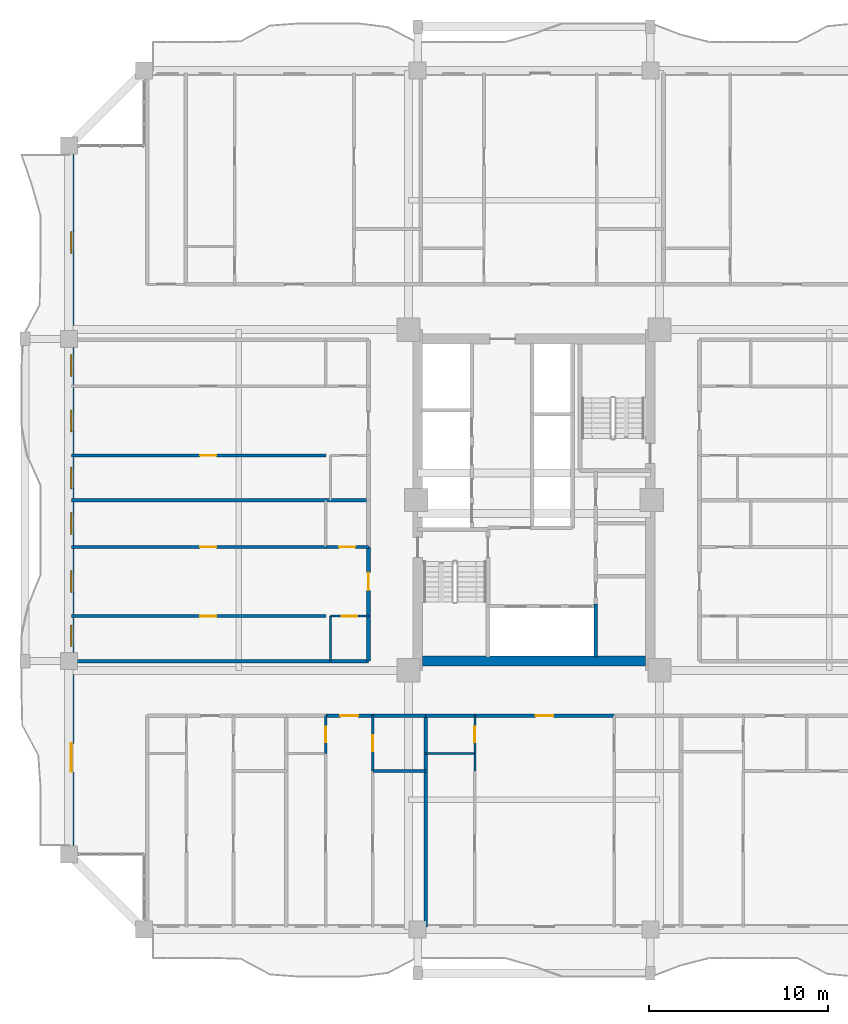
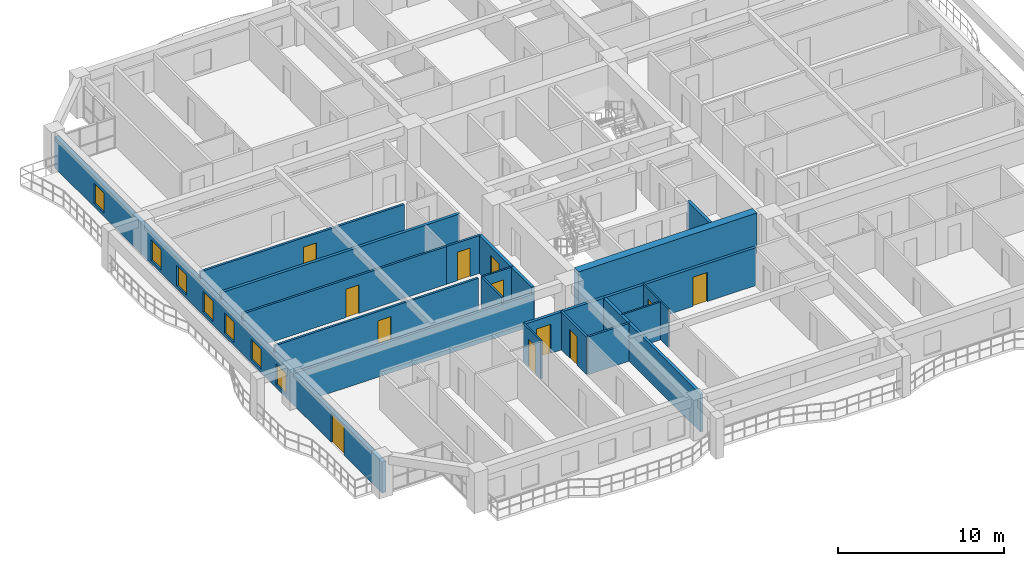
# One storey, part 15 of 25: 24 walls, 12 doors, 7 windows, 19 openings.
"""IFC4 building model written with IfcOpenShell, lengths in metres."""

from ifc_helpers import new_model, si_unit, direction, frame, frame_2d, origin, place, context, subcontext, project, spatial, rectangle, extrude, source, transform, mapped, material, layer, layer_set, type_object, element, fill, save


model = new_model("IFC4")

# Units and contexts
model_context = context("Model", 3, precision=1e-05, world=origin(), true_north=direction((0.0, 1.0)))
body_context = subcontext(model_context, "Body", "Model", "MODEL_VIEW")
ifc_project = project(units=[si_unit("LENGTHUNIT", "METRE"), si_unit("AREAUNIT", "SQUARE_METRE"), si_unit("VOLUMEUNIT", "CUBIC_METRE"), si_unit("PLANEANGLEUNIT", "RADIAN"), si_unit("MASSUNIT", "GRAM", prefix="KILO")], contexts=[model_context])

# Site, building, storey
site_placement = place(None, origin())
site = spatial("IfcSite", under=ifc_project, at=site_placement, CompositionType="ELEMENT")
building_placement = place(site_placement, origin())
building = spatial("IfcBuilding", under=site, at=building_placement, Name="Saelheon Loggia Tower", CompositionType="ELEMENT")
storey_placement = place(building_placement, frame((0.0, 0.0, 80.85009765625)))
storey = spatial("IfcBuildingStorey", under=building, at=storey_placement, Name="L25", CompositionType="ELEMENT", Elevation=80.85009765625)

# Wall
ifc_material_1 = material(Name="Concrete C50/60", Category="concrete")
ifc_layer_1 = layer(ifc_material_1, 0.550048828125)
ifc_layer_set_1 = layer_set([ifc_layer_1], Name="Concrete C50/60")
wall_type_1 = type_object("IfcWallType", Name="Wall_CoreShear_550", PredefinedType="SHEAR", material=ifc_layer_set_1)
wall_1_placement = place(storey_placement, frame((31.77490234375, 18.0, 0.0), z_axis=(0.0, 0.0, 1.0), x_axis=(1.0, 0.0, 0.0)))
element("IfcWall", 1, at=wall_1_placement, inside=storey, type_object=wall_type_1, Name="L25 Core Shear Wall South", PredefinedType="SHEAR", context=body_context, shape_type="SweptSolid", body=[
    extrude(rectangle(XDim=12.4501953125, YDim=0.550048828125, at=frame_2d((6.22509765625, 0.0))), origin(), (0.0, 0.0, 1.0), 3.0),
])

# Wall, openings, windows, door
ifc_material_2 = material(Name="Architectural Precast Concrete C40/50", Category="concrete")
ifc_layer_2 = layer(ifc_material_2, 0.280029296875)
ifc_layer_set_2 = layer_set([ifc_layer_2], Name="Architectural Precast Concrete C40/50")
wall_type_2 = type_object("IfcWallType", Name="Wall_Ext_Loggia_280", PredefinedType="SOLIDWALL", material=ifc_layer_set_2)
wall_2_placement = place(storey_placement, frame((12.139892578125, 7.199951171875, 0.0), z_axis=(0.0, 0.0, 1.0), x_axis=(0.0, 1.0, 0.0)))
wall_2 = element("IfcWall", 2, at=wall_2_placement, inside=storey, type_object=wall_type_2, Name="L25 West Loggia Inner Wall", PredefinedType="SOLIDWALL", context=body_context, shape_type="SweptSolid", body=[
    extrude(rectangle(XDim=39.60009765625, YDim=0.280029296875, at=frame_2d((19.800048828125, 0.0))), origin(), (0.0, 0.0, 1.0), 2.27978515625),
])
opening_1_placement = place(wall_2_placement, frame((4.60009765625, 0.0, 0.0)))
opening_1 = element("IfcOpeningElement", 3, at=opening_1_placement, cuts=wall_2, Name="Opening DLG-1", PredefinedType="OPENING", context=body_context, shape_type="SweptSolid", body=[
    extrude(rectangle(XDim=1.60009765625, YDim=2.14990234375, at=frame_2d((0.800048828125, 1.074951171875))), frame((0.0, 0.152099609375, 0.0), z_axis=(0.0, -1.0, 0.0), x_axis=(1.0, 0.0, 0.0)), (0.0, 0.0, 1.0), 0.303955078125),
])
opening_2_placement = place(wall_2_placement, frame((11.614013671875, 0.0, 0.25)))
opening_2 = element("IfcOpeningElement", 4, at=opening_2_placement, cuts=wall_2, Name="Opening WN-03", PredefinedType="OPENING", context=body_context, shape_type="SweptSolid", body=[
    extrude(rectangle(XDim=1.199951171875, YDim=1.5, at=frame_2d((0.60009765625, 0.75))), frame((0.0, 0.152099609375, 0.0), z_axis=(0.0, -1.0, 0.0), x_axis=(1.0, 0.0, 0.0)), (0.0, 0.0, 1.0), 0.303955078125),
])
opening_3_placement = place(wall_2_placement, frame((14.64404296875, 0.0, 0.25)))
opening_3 = element("IfcOpeningElement", 5, at=opening_3_placement, cuts=wall_2, Name="Opening WN-03", PredefinedType="OPENING", context=body_context, shape_type="SweptSolid", body=[
    extrude(rectangle(XDim=1.199951171875, YDim=1.5, at=frame_2d((0.60009765625, 0.75))), frame((0.0, 0.152099609375, 0.0), z_axis=(0.0, -1.0, 0.0), x_axis=(1.0, 0.0, 0.0)), (0.0, 0.0, 1.0), 0.303955078125),
])
opening_4_placement = place(wall_2_placement, frame((17.875, 0.0, 0.25)))
opening_4 = element("IfcOpeningElement", 6, at=opening_4_placement, cuts=wall_2, Name="Opening WN-03", PredefinedType="OPENING", context=body_context, shape_type="SweptSolid", body=[
    extrude(rectangle(XDim=1.199951171875, YDim=1.5, at=frame_2d((0.60009765625, 0.75))), frame((0.0, 0.152099609375, 0.0), z_axis=(0.0, -1.0, 0.0), x_axis=(1.0, 0.0, 0.0)), (0.0, 0.0, 1.0), 0.303955078125),
])
opening_5_placement = place(wall_2_placement, frame((20.431396484375, 0.0, 0.25)))
opening_5 = element("IfcOpeningElement", 7, at=opening_5_placement, cuts=wall_2, Name="Opening WN-03", PredefinedType="OPENING", context=body_context, shape_type="SweptSolid", body=[
    extrude(rectangle(XDim=1.199951171875, YDim=1.5, at=frame_2d((0.60009765625, 0.75))), frame((0.0, 0.152099609375, 0.0), z_axis=(0.0, -1.0, 0.0), x_axis=(1.0, 0.0, 0.0)), (0.0, 0.0, 1.0), 0.303955078125),
])
opening_6_placement = place(wall_2_placement, frame((23.618896484375, 0.0, 0.25)))
opening_6 = element("IfcOpeningElement", 8, at=opening_6_placement, cuts=wall_2, Name="Opening WN-03", PredefinedType="OPENING", context=body_context, shape_type="SweptSolid", body=[
    extrude(rectangle(XDim=1.199951171875, YDim=1.5, at=frame_2d((0.60009765625, 0.75))), frame((0.0, 0.152099609375, 0.0), z_axis=(0.0, -1.0, 0.0), x_axis=(1.0, 0.0, 0.0)), (0.0, 0.0, 1.0), 0.303955078125),
])
opening_7_placement = place(wall_2_placement, frame((26.717529296875, 0.0, 0.25)))
opening_7 = element("IfcOpeningElement", 9, at=opening_7_placement, cuts=wall_2, Name="Opening WN-03", PredefinedType="OPENING", context=body_context, shape_type="SweptSolid", body=[
    extrude(rectangle(XDim=1.199951171875, YDim=1.5, at=frame_2d((0.60009765625, 0.75))), frame((0.0, 0.152099609375, 0.0), z_axis=(0.0, -1.0, 0.0), x_axis=(1.0, 0.0, 0.0)), (0.0, 0.0, 1.0), 0.303955078125),
])
opening_8_placement = place(wall_2_placement, frame((33.60009765625, 0.0, 0.25)))
opening_8 = element("IfcOpeningElement", 10, at=opening_8_placement, cuts=wall_2, Name="Opening WN-03", PredefinedType="OPENING", context=body_context, shape_type="SweptSolid", body=[
    extrude(rectangle(XDim=1.199951171875, YDim=1.5, at=frame_2d((0.60009765625, 0.75))), frame((0.0, 0.152099609375, 0.0), z_axis=(0.0, -1.0, 0.0), x_axis=(1.0, 0.0, 0.0)), (0.0, 0.0, 1.0), 0.303955078125),
])
ifc_material_3 = material(Name="Thermal-Break Aluminium and Triple Low-E Glass", Category="aluminium")
window_type = type_object("IfcWindowType", Name="Win_Bedroom_1200x1500", PartitioningType="SINGLE_PANEL", PredefinedType="WINDOW", material=ifc_material_3)
shared_shape_1 = source(origin(), body_context, "Body", "SweptSolid", [
    extrude(rectangle(XDim=1.199951171875, YDim=1.5, at=frame_2d((0.60009765625, 0.75))), frame((0.0, 0.030029296875, 0.0), z_axis=(0.0, -1.0, 0.0), x_axis=(1.0, 0.0, 0.0)), (0.0, 0.0, 1.0), 0.06005859375),
])
window_1_placement = place(opening_2_placement, origin())
window_1 = element("IfcWindow", 11, at=window_1_placement, inside=storey, type_object=window_type, Name="L25 W Dwelling Window 2", OverallHeight=1.5, OverallWidth=1.199951171875, PartitioningType="SINGLE_PANEL", PredefinedType="WINDOW", context=body_context, shape_type="MappedRepresentation", body=[
    mapped(shared_shape_1, transform((0.0, 0.0, 0.0), scale=1.0)),
])
fill(opening_2, window_1)
window_2_placement = place(opening_3_placement, origin())
window_2 = element("IfcWindow", 12, at=window_2_placement, inside=storey, type_object=window_type, Name="L25 W Dwelling Window 3", OverallHeight=1.5, OverallWidth=1.199951171875, PartitioningType="SINGLE_PANEL", PredefinedType="WINDOW", context=body_context, shape_type="MappedRepresentation", body=[
    mapped(shared_shape_1, transform((0.0, 0.0, 0.0), scale=1.0)),
])
fill(opening_3, window_2)
window_3_placement = place(opening_4_placement, origin())
window_3 = element("IfcWindow", 13, at=window_3_placement, inside=storey, type_object=window_type, Name="L25 W Dwelling Window 4", OverallHeight=1.5, OverallWidth=1.199951171875, PartitioningType="SINGLE_PANEL", PredefinedType="WINDOW", context=body_context, shape_type="MappedRepresentation", body=[
    mapped(shared_shape_1, transform((0.0, 0.0, 0.0), scale=1.0)),
])
fill(opening_4, window_3)
window_4_placement = place(opening_5_placement, origin())
window_4 = element("IfcWindow", 14, at=window_4_placement, inside=storey, type_object=window_type, Name="L25 W Dwelling Window 5", OverallHeight=1.5, OverallWidth=1.199951171875, PartitioningType="SINGLE_PANEL", PredefinedType="WINDOW", context=body_context, shape_type="MappedRepresentation", body=[
    mapped(shared_shape_1, transform((0.0, 0.0, 0.0), scale=1.0)),
])
fill(opening_5, window_4)
window_5_placement = place(opening_6_placement, origin())
window_5 = element("IfcWindow", 15, at=window_5_placement, inside=storey, type_object=window_type, Name="L25 W Dwelling Window 6", OverallHeight=1.5, OverallWidth=1.199951171875, PartitioningType="SINGLE_PANEL", PredefinedType="WINDOW", context=body_context, shape_type="MappedRepresentation", body=[
    mapped(shared_shape_1, transform((0.0, 0.0, 0.0), scale=1.0)),
])
fill(opening_6, window_5)
window_6_placement = place(opening_7_placement, origin())
window_6 = element("IfcWindow", 16, at=window_6_placement, inside=storey, type_object=window_type, Name="L25 W Dwelling Window 7", OverallHeight=1.5, OverallWidth=1.199951171875, PartitioningType="SINGLE_PANEL", PredefinedType="WINDOW", context=body_context, shape_type="MappedRepresentation", body=[
    mapped(shared_shape_1, transform((0.0, 0.0, 0.0), scale=1.0)),
])
fill(opening_7, window_6)
window_7_placement = place(opening_8_placement, origin())
window_7 = element("IfcWindow", 17, at=window_7_placement, inside=storey, type_object=window_type, Name="L25 W Dwelling Window 8", OverallHeight=1.5, OverallWidth=1.199951171875, PartitioningType="SINGLE_PANEL", PredefinedType="WINDOW", context=body_context, shape_type="MappedRepresentation", body=[
    mapped(shared_shape_1, transform((0.0, 0.0, 0.0), scale=1.0)),
])
fill(opening_8, window_7)
ifc_material_4 = material(Name="Thermal-Break Aluminium Sliding Glazed Door", Category="aluminium")
door_type_1 = type_object("IfcDoorType", Name="Door_LoggiaSlide_1600", OperationType="SLIDING_TO_LEFT", PredefinedType="DOOR", material=ifc_material_4)
shared_shape_2 = source(origin(), body_context, "Body", "SweptSolid", [
    extrude(rectangle(XDim=1.60009765625, YDim=2.14990234375, at=frame_2d((0.800048828125, 1.074951171875))), frame((0.0, 0.02490234375, 0.0), z_axis=(0.0, -1.0, 0.0), x_axis=(1.0, 0.0, 0.0)), (0.0, 0.0, 1.0), 0.050048828125),
])
door_1_placement = place(opening_1_placement, origin())
door_1 = element("IfcDoor", 18, at=door_1_placement, inside=storey, type_object=door_type_1, Name="L25 W Loggia Access Door", OperationType="SLIDING_TO_LEFT", OverallHeight=2.14990234375, OverallWidth=1.60009765625, PredefinedType="DOOR", context=body_context, shape_type="MappedRepresentation", body=[
    mapped(shared_shape_2, transform((0.0, 0.0, 0.0), scale=1.0)),
])
fill(opening_1, door_1)

# Wall
ifc_material_5 = material(Name="Lightweight Autoclaved Aerated Concrete Block and Acoustic Gypsum", Category="concrete")
ifc_layer_3 = layer(ifc_material_5, 0.14990234375)
ifc_layer_set_3 = layer_set([ifc_layer_3], Name="Lightweight Autoclaved Aerated Concrete Block and Acoustic Gypsum")
wall_type_3 = type_object("IfcWallType", Name="Wall_Part_150", PredefinedType="PARTITIONING", material=ifc_layer_set_3)
wall_3_placement = place(storey_placement, frame((28.98876953125, 11.85009765625, 0.0), z_axis=(0.0, 0.0, 1.0), x_axis=(1.0, 0.0, 0.0)))
element("IfcWall", 19, at=wall_3_placement, inside=storey, type_object=wall_type_3, Name="L25 S Partition V18", PredefinedType="PARTITIONING", context=body_context, shape_type="SweptSolid", body=[
    extrude(rectangle(XDim=2.95751953125, YDim=0.14990234375, at=frame_2d((1.478759765625, 0.0))), origin(), (0.0, 0.0, 1.0), 2.789794921875),
])

# Wall, opening, door
wall_4_placement = place(storey_placement, frame((28.98876953125, 14.949951171875, 0.0), z_axis=(0.0, 0.0, 1.0), x_axis=(0.0, -1.0, 0.0)))
wall_4 = element("IfcWall", 20, at=wall_4_placement, inside=storey, type_object=wall_type_3, Name="L25 S Partition U22", PredefinedType="PARTITIONING", context=body_context, shape_type="SweptSolid", body=[
    extrude(rectangle(XDim=3.099853515625, YDim=0.14990234375, at=frame_2d((1.5498046875, 0.0))), origin(), (0.0, 0.0, 1.0), 2.789794921875),
])
opening_9_placement = place(wall_4_placement, frame((1.10009765625, 0.0, 0.0)))
opening_9 = element("IfcOpeningElement", 21, at=opening_9_placement, cuts=wall_4, Name="Opening D-IN2", PredefinedType="OPENING", context=body_context, shape_type="SweptSolid", body=[
    extrude(rectangle(XDim=0.89990234375, YDim=2.10009765625, at=frame_2d((0.449951171875, 1.050048828125))), frame((0.0, 0.0869140625, 0.0), z_axis=(0.0, -1.0, 0.0), x_axis=(1.0, 0.0, 0.0)), (0.0, 0.0, 1.0), 0.173828125),
])
ifc_material_6 = material(Name="Engineered Oak Flush Door", Category="timber")
door_type_2 = type_object("IfcDoorType", Name="Door_Int_900", OperationType="NOTDEFINED", PredefinedType="DOOR", material=ifc_material_6)
shared_shape_3 = source(origin(), body_context, "Body", "SweptSolid", [
    extrude(rectangle(XDim=0.89990234375, YDim=2.10009765625, at=frame_2d((0.449951171875, 1.050048828125))), frame((0.0, 0.02490234375, 0.0), z_axis=(0.0, -1.0, 0.0), x_axis=(1.0, 0.0, 0.0)), (0.0, 0.0, 1.0), 0.050048828125),
])
door_2_placement = place(opening_9_placement, origin())
door_2 = element("IfcDoor", 22, at=door_2_placement, inside=storey, type_object=door_type_2, Name="Unit U02 Dressing Closet Door", OperationType="SINGLE_SWING_LEFT", OverallHeight=2.10009765625, OverallWidth=0.89990234375, PredefinedType="DOOR", context=body_context, shape_type="MappedRepresentation", body=[
    mapped(shared_shape_3, transform((0.0, 0.0, 0.0), scale=1.0)),
])
fill(opening_9, door_2)

wall_5_placement = place(storey_placement, frame((26.3701171875, 20.512939453125, 0.0), z_axis=(0.0, 0.0, 1.0), x_axis=(-1.0, 0.0, 0.0)))
wall_5 = element("IfcWall", 23, at=wall_5_placement, inside=storey, type_object=wall_type_3, Name="L25 W Partition U09", PredefinedType="PARTITIONING", context=body_context, shape_type="SweptSolid", body=[
    extrude(rectangle(XDim=14.22021484375, YDim=0.14990234375, at=frame_2d((7.110107421875, 0.0))), origin(), (0.0, 0.0, 1.0), 2.789794921875),
])
opening_10_placement = place(wall_5_placement, frame((6.125, 0.0, 0.0)))
opening_10 = element("IfcOpeningElement", 24, at=opening_10_placement, cuts=wall_5, Name="Opening D-IN2", PredefinedType="OPENING", context=body_context, shape_type="SweptSolid", body=[
    extrude(rectangle(XDim=0.89990234375, YDim=2.10009765625, at=frame_2d((0.449951171875, 1.050048828125))), frame((0.0, 0.0869140625, 0.0), z_axis=(0.0, -1.0, 0.0), x_axis=(1.0, 0.0, 0.0)), (0.0, 0.0, 1.0), 0.173828125),
])
door_3_placement = place(opening_10_placement, origin())
door_3 = element("IfcDoor", 25, at=door_3_placement, inside=storey, type_object=door_type_2, Name="Unit U08 Kitchen Door", OperationType="SINGLE_SWING_LEFT", OverallHeight=2.10009765625, OverallWidth=0.89990234375, PredefinedType="DOOR", context=body_context, shape_type="MappedRepresentation", body=[
    mapped(shared_shape_3, transform((0.0, 0.0, 0.0), scale=1.0)),
])
fill(opening_10, door_3)

wall_6_placement = place(storey_placement, frame((28.75, 24.375, 0.0), z_axis=(0.0, 0.0, 1.0), x_axis=(-1.0, 0.0, 0.0)))
wall_6 = element("IfcWall", 26, at=wall_6_placement, inside=storey, type_object=wall_type_3, Name="L25 W Partition U10", PredefinedType="PARTITIONING", context=body_context, shape_type="SweptSolid", body=[
    extrude(rectangle(XDim=2.3798828125, YDim=0.14990234375, at=frame_2d((1.18994140625, 0.0))), origin(), (0.0, 0.0, 1.0), 2.789794921875),
])
opening_11_placement = place(wall_6_placement, frame((0.739990234375, 0.0, 0.0)))
opening_11 = element("IfcOpeningElement", 27, at=opening_11_placement, cuts=wall_6, Name="Opening D-IN2", PredefinedType="OPENING", context=body_context, shape_type="SweptSolid", body=[
    extrude(rectangle(XDim=0.89990234375, YDim=2.10009765625, at=frame_2d((0.449951171875, 1.050048828125))), frame((0.0, 0.0869140625, 0.0), z_axis=(0.0, -1.0, 0.0), x_axis=(1.0, 0.0, 0.0)), (0.0, 0.0, 1.0), 0.173828125),
])
door_4_placement = place(opening_11_placement, origin())
door_4 = element("IfcDoor", 28, at=door_4_placement, inside=storey, type_object=door_type_2, Name="Unit U08 Dressing Closet Door", OperationType="SINGLE_SWING_RIGHT", OverallHeight=2.10009765625, OverallWidth=0.89990234375, PredefinedType="DOOR", context=body_context, shape_type="MappedRepresentation", body=[
    mapped(shared_shape_3, transform((0.0, 0.0, 0.0), scale=1.0)),
])
fill(opening_11, door_4)

wall_7_placement = place(storey_placement, frame((26.3701171875, 24.375, 0.0), z_axis=(0.0, 0.0, 1.0), x_axis=(-1.0, 0.0, 0.0)))
wall_7 = element("IfcWall", 29, at=wall_7_placement, inside=storey, type_object=wall_type_3, Name="L25 W Partition U11", PredefinedType="PARTITIONING", context=body_context, shape_type="SweptSolid", body=[
    extrude(rectangle(XDim=14.22021484375, YDim=0.14990234375, at=frame_2d((7.110107421875, 0.0))), origin(), (0.0, 0.0, 1.0), 2.789794921875),
])
opening_12_placement = place(wall_7_placement, frame((6.125, 0.0, 0.0)))
opening_12 = element("IfcOpeningElement", 30, at=opening_12_placement, cuts=wall_7, Name="Opening D-IN2", PredefinedType="OPENING", context=body_context, shape_type="SweptSolid", body=[
    extrude(rectangle(XDim=0.89990234375, YDim=2.10009765625, at=frame_2d((0.449951171875, 1.050048828125))), frame((0.0, 0.0869140625, 0.0), z_axis=(0.0, -1.0, 0.0), x_axis=(1.0, 0.0, 0.0)), (0.0, 0.0, 1.0), 0.173828125),
])
door_5_placement = place(opening_12_placement, origin())
door_5 = element("IfcDoor", 31, at=door_5_placement, inside=storey, type_object=door_type_2, Name="Unit U08 Bedroom 1 Door", OperationType="SINGLE_SWING_LEFT", OverallHeight=2.10009765625, OverallWidth=0.89990234375, PredefinedType="DOOR", context=body_context, shape_type="MappedRepresentation", body=[
    mapped(shared_shape_3, transform((0.0, 0.0, 0.0), scale=1.0)),
])
fill(opening_12, door_5)

wall_8_placement = place(storey_placement, frame((26.3701171875, 29.488037109375, 0.0), z_axis=(0.0, 0.0, 1.0), x_axis=(-1.0, 0.0, 0.0)))
wall_8 = element("IfcWall", 32, at=wall_8_placement, inside=storey, type_object=wall_type_3, Name="L25 W Partition U19", PredefinedType="PARTITIONING", context=body_context, shape_type="SweptSolid", body=[
    extrude(rectangle(XDim=14.22021484375, YDim=0.14990234375, at=frame_2d((7.110107421875, 0.0))), origin(), (0.0, 0.0, 1.0), 2.789794921875),
])
opening_13_placement = place(wall_8_placement, frame((6.125, 0.0, 0.0)))
opening_13 = element("IfcOpeningElement", 33, at=opening_13_placement, cuts=wall_8, Name="Opening D-IN2", PredefinedType="OPENING", context=body_context, shape_type="SweptSolid", body=[
    extrude(rectangle(XDim=0.89990234375, YDim=2.10009765625, at=frame_2d((0.449951171875, 1.050048828125))), frame((0.0, 0.0869140625, 0.0), z_axis=(0.0, -1.0, 0.0), x_axis=(1.0, 0.0, 0.0)), (0.0, 0.0, 1.0), 0.173828125),
])
door_6_placement = place(opening_13_placement, origin())
door_6 = element("IfcDoor", 34, at=door_6_placement, inside=storey, type_object=door_type_2, Name="Unit U09 Kitchen Door", OperationType="SINGLE_SWING_RIGHT", OverallHeight=2.10009765625, OverallWidth=0.89990234375, PredefinedType="DOOR", context=body_context, shape_type="MappedRepresentation", body=[
    mapped(shared_shape_3, transform((0.0, 0.0, 0.0), scale=1.0)),
])
fill(opening_13, door_6)

ifc_material_7 = material(Name="Double Acoustic Stud and Fireboard Partition", Category="gypsum")
ifc_layer_4 = layer(ifc_material_7, 0.199951171875)
ifc_layer_set_4 = layer_set([ifc_layer_4], Name="Double Acoustic Stud and Fireboard Partition")
wall_type_4 = type_object("IfcWallType", Name="Wall_Party_200", PredefinedType="PARTITIONING", material=ifc_layer_set_4)
wall_9_placement = place(storey_placement, frame((26.36328125, 14.949951171875, 0.0), z_axis=(0.0, 0.0, 1.0), x_axis=(1.0, 0.0, 0.0)))
wall_9 = element("IfcWall", 35, at=wall_9_placement, inside=storey, type_object=wall_type_4, Name="L25 S Partition V15", PredefinedType="PARTITIONING", context=body_context, shape_type="SweptSolid", body=[
    extrude(rectangle(XDim=2.62548828125, YDim=0.199951171875, at=frame_2d((1.312744140625, 0.0))), origin(), (0.0, 0.0, 1.0), 2.789794921875),
])
opening_14_placement = place(wall_9_placement, frame((0.812744140625, 0.0, 0.0)))
opening_14 = element("IfcOpeningElement", 36, at=opening_14_placement, cuts=wall_9, Name="Opening D-FD1", PredefinedType="OPENING", context=body_context, shape_type="SweptSolid", body=[
    extrude(rectangle(XDim=1.0, YDim=2.14990234375, at=frame_2d((0.5, 1.074951171875))), frame((0.0, 0.112060546875, 0.0), z_axis=(0.0, -1.0, 0.0), x_axis=(1.0, 0.0, 0.0)), (0.0, 0.0, 1.0), 0.223876953125),
])
ifc_material_8 = material(Name="Fire-Rated Engineered Timber Entrance Door", Category="wood")
door_type_3 = type_object("IfcDoorType", Name="Door_Flat_FD30S", OperationType="NOTDEFINED", PredefinedType="DOOR", material=ifc_material_8)
shared_shape_4 = source(origin(), body_context, "Body", "SweptSolid", [
    extrude(rectangle(XDim=1.0, YDim=2.14990234375, at=frame_2d((0.5, 1.074951171875))), frame((0.0, 0.02490234375, 0.0), z_axis=(0.0, -1.0, 0.0), x_axis=(1.0, 0.0, 0.0)), (0.0, 0.0, 1.0), 0.050048828125),
])
door_7_placement = place(opening_14_placement, origin())
door_7 = element("IfcDoor", 37, at=door_7_placement, inside=storey, type_object=door_type_3, Name="Unit U02 Entrance Door", OperationType="SINGLE_SWING_RIGHT", OverallHeight=2.14990234375, OverallWidth=1.0, PredefinedType="DOOR", context=body_context, shape_type="MappedRepresentation", body=[
    mapped(shared_shape_4, transform((0.0, 0.0, 0.0), scale=1.0)),
])
fill(opening_14, door_7)

# Walls
wall_10_placement = place(storey_placement, frame((28.98876953125, 14.949951171875, 0.0), z_axis=(0.0, 0.0, 1.0), x_axis=(1.0, 0.0, 0.0)))
element("IfcWall", 38, at=wall_10_placement, inside=storey, type_object=wall_type_4, Name="L25 S Partition V16", PredefinedType="PARTITIONING", context=body_context, shape_type="SweptSolid", body=[
    extrude(rectangle(XDim=2.95751953125, YDim=0.199951171875, at=frame_2d((1.478759765625, 0.0))), origin(), (0.0, 0.0, 1.0), 2.789794921875),
])
wall_11_placement = place(storey_placement, frame((31.9462890625, 14.949951171875, 0.0), z_axis=(0.0, 0.0, 1.0), x_axis=(0.0, -1.0, 0.0)))
element("IfcWall", 39, at=wall_11_placement, inside=storey, type_object=wall_type_4, Name="L25 S Partition U24", PredefinedType="PARTITIONING", context=body_context, shape_type="SweptSolid", body=[
    extrude(rectangle(XDim=11.800048828125, YDim=0.199951171875, at=frame_2d((5.89990234375, 0.0))), origin(), (0.0, 0.0, 1.0), 2.789794921875),
])
wall_12_placement = place(storey_placement, frame((31.9462890625, 14.949951171875, 0.0), z_axis=(0.0, 0.0, 1.0), x_axis=(1.0, 0.0, 0.0)))
element("IfcWall", 40, at=wall_12_placement, inside=storey, type_object=wall_type_4, Name="L25 S Partition V25", PredefinedType="PARTITIONING", context=body_context, shape_type="SweptSolid", body=[
    extrude(rectangle(XDim=2.75, YDim=0.199951171875, at=frame_2d((1.375, 0.0))), origin(), (0.0, 0.0, 1.0), 2.789794921875),
])

# Wall, opening, door
wall_13_placement = place(storey_placement, frame((34.6962890625, 14.949951171875, 0.0), z_axis=(0.0, 0.0, 1.0), x_axis=(1.0, 0.0, 0.0)))
wall_13 = element("IfcWall", 41, at=wall_13_placement, inside=storey, type_object=wall_type_4, Name="L25 S Partition V26", PredefinedType="PARTITIONING", context=body_context, shape_type="SweptSolid", body=[
    extrude(rectangle(XDim=7.78369140625, YDim=0.199951171875, at=frame_2d((3.891845703125, 0.0))), origin(), (0.0, 0.0, 1.0), 2.789794921875),
])
opening_15_placement = place(wall_13_placement, frame((3.391845703125, 0.0, 0.0)))
opening_15 = element("IfcOpeningElement", 42, at=opening_15_placement, cuts=wall_13, Name="Opening D-FD1", PredefinedType="OPENING", context=body_context, shape_type="SweptSolid", body=[
    extrude(rectangle(XDim=1.0, YDim=2.14990234375, at=frame_2d((0.5, 1.074951171875))), frame((0.0, 0.112060546875, 0.0), z_axis=(0.0, -1.0, 0.0), x_axis=(1.0, 0.0, 0.0)), (0.0, 0.0, 1.0), 0.223876953125),
])
door_8_placement = place(opening_15_placement, origin())
door_8 = element("IfcDoor", 43, at=door_8_placement, inside=storey, type_object=door_type_3, Name="Unit U03 Entrance Door", OperationType="SINGLE_SWING_LEFT", OverallHeight=2.14990234375, OverallWidth=1.0, PredefinedType="DOOR", context=body_context, shape_type="MappedRepresentation", body=[
    mapped(shared_shape_4, transform((0.0, 0.0, 0.0), scale=1.0)),
])
fill(opening_15, door_8)

# Walls
wall_14_placement = place(storey_placement, frame((28.75, 18.0, 0.0), z_axis=(0.0, 0.0, 1.0), x_axis=(-1.0, 0.0, 0.0)))
element("IfcWall", 44, at=wall_14_placement, inside=storey, type_object=wall_type_4, Name="L25 W Partition U01", PredefinedType="PARTITIONING", context=body_context, shape_type="SweptSolid", body=[
    extrude(rectangle(XDim=16.60009765625, YDim=0.199951171875, at=frame_2d((8.300048828125, 0.0))), origin(), (0.0, 0.0, 1.0), 2.33984375),
])
wall_15_placement = place(storey_placement, frame((28.75, 18.0, 0.0), z_axis=(0.0, 0.0, 1.0), x_axis=(0.0, 1.0, 0.0)))
element("IfcWall", 45, at=wall_15_placement, inside=storey, type_object=wall_type_4, Name="L25 W Partition V03", PredefinedType="PARTITIONING", context=body_context, shape_type="SweptSolid", body=[
    extrude(rectangle(XDim=2.512939453125, YDim=0.199951171875, at=frame_2d((1.25634765625, 0.0))), origin(), (0.0, 0.0, 1.0), 2.789794921875),
])

# Wall, opening, door
wall_16_placement = place(storey_placement, frame((28.75, 20.512939453125, 0.0), z_axis=(0.0, 0.0, 1.0), x_axis=(0.0, 1.0, 0.0)))
wall_16 = element("IfcWall", 46, at=wall_16_placement, inside=storey, type_object=wall_type_4, Name="L25 W Partition V04", PredefinedType="PARTITIONING", context=body_context, shape_type="SweptSolid", body=[
    extrude(rectangle(XDim=3.862060546875, YDim=0.199951171875, at=frame_2d((1.93115234375, 0.0))), origin(), (0.0, 0.0, 1.0), 2.789794921875),
])
opening_16_placement = place(wall_16_placement, frame((1.430908203125, 0.0, 0.0)))
opening_16 = element("IfcOpeningElement", 47, at=opening_16_placement, cuts=wall_16, Name="Opening D-FD1", PredefinedType="OPENING", context=body_context, shape_type="SweptSolid", body=[
    extrude(rectangle(XDim=1.0, YDim=2.14990234375, at=frame_2d((0.5, 1.074951171875))), frame((0.0, 0.112060546875, 0.0), z_axis=(0.0, -1.0, 0.0), x_axis=(1.0, 0.0, 0.0)), (0.0, 0.0, 1.0), 0.223876953125),
])
door_9_placement = place(opening_16_placement, origin())
door_9 = element("IfcDoor", 48, at=door_9_placement, inside=storey, type_object=door_type_3, Name="Unit U08 Entrance Door", OperationType="SINGLE_SWING_LEFT", OverallHeight=2.14990234375, OverallWidth=1.0, PredefinedType="DOOR", context=body_context, shape_type="MappedRepresentation", body=[
    mapped(shared_shape_4, transform((0.0, 0.0, 0.0), scale=1.0)),
])
fill(opening_16, door_9)

# Walls
wall_17_placement = place(storey_placement, frame((28.75, 26.97509765625, 0.0), z_axis=(0.0, 0.0, 1.0), x_axis=(-1.0, 0.0, 0.0)))
element("IfcWall", 49, at=wall_17_placement, inside=storey, type_object=wall_type_4, Name="L25 W Partition U12", PredefinedType="PARTITIONING", context=body_context, shape_type="SweptSolid", body=[
    extrude(rectangle(XDim=16.60009765625, YDim=0.199951171875, at=frame_2d((8.300048828125, 0.0))), origin(), (0.0, 0.0, 1.0), 2.789794921875),
])
ifc_material_9 = material(Name="Concrete C40/50", Category="concrete")
ifc_layer_5 = layer(ifc_material_9, 0.199951171875)
ifc_layer_set_5 = layer_set([ifc_layer_5], Name="Concrete C40/50")
wall_type_5 = type_object("IfcWallType", Name="Wall_Shaft_200", PredefinedType="PARTITIONING", material=ifc_layer_set_5)
wall_18_placement = place(storey_placement, frame((41.449951171875, 18.219970703125, 0.0), z_axis=(0.0, 0.0, 1.0), x_axis=(0.0, 1.0, 0.0)))
element("IfcWall", 50, at=wall_18_placement, inside=storey, type_object=wall_type_5, Name="CW-INT-L25-BOH-W0", PredefinedType="PARTITIONING", context=body_context, shape_type="SweptSolid", body=[
    extrude(rectangle(XDim=2.9599609375, YDim=0.199951171875, at=frame_2d((1.47998046875, 0.0))), origin(), (0.0, 0.0, 1.0), 2.789794921875),
])

# Wall, opening, door
ifc_material_10 = material(Name="Moisture-Resistant Cement Board Partition", Category="gypsum")
ifc_layer_6 = layer(ifc_material_10, 0.1201171875)
ifc_layer_set_6 = layer_set([ifc_layer_6], Name="Moisture-Resistant Cement Board Partition")
wall_type_6 = type_object("IfcWallType", Name="Wall_WetPart_120", PredefinedType="PARTITIONING", material=ifc_layer_set_6)
wall_19_placement = place(storey_placement, frame((26.36328125, 14.949951171875, 0.0), z_axis=(0.0, 0.0, 1.0), x_axis=(0.0, -1.0, 0.0)))
wall_19 = element("IfcWall", 51, at=wall_19_placement, inside=storey, type_object=wall_type_6, Name="L25 S Partition U19", PredefinedType="PARTITIONING", context=body_context, shape_type="SweptSolid", body=[
    extrude(rectangle(XDim=2.119873046875, YDim=0.1201171875, at=frame_2d((1.06005859375, 0.0))), origin(), (0.0, 0.0, 1.0), 2.789794921875),
])
opening_17_placement = place(wall_19_placement, frame((0.635009765625, 0.0, 0.0)))
opening_17 = element("IfcOpeningElement", 52, at=opening_17_placement, cuts=wall_19, Name="Opening D-BT1", PredefinedType="OPENING", context=body_context, shape_type="SweptSolid", body=[
    extrude(rectangle(XDim=0.85009765625, YDim=2.050048828125, at=frame_2d((0.425048828125, 1.02490234375))), frame((0.0, 0.072021484375, 0.0), z_axis=(0.0, -1.0, 0.0), x_axis=(1.0, 0.0, 0.0)), (0.0, 0.0, 1.0), 0.14404296875),
])
ifc_material_11 = material(Name="Moisture-Resistant Laminate Timber Door", Category="wood")
door_type_4 = type_object("IfcDoorType", Name="Door_Bath_850", OperationType="NOTDEFINED", PredefinedType="DOOR", material=ifc_material_11)
shared_shape_5 = source(origin(), body_context, "Body", "SweptSolid", [
    extrude(rectangle(XDim=0.85009765625, YDim=2.050048828125, at=frame_2d((0.425048828125, 1.02490234375))), frame((0.0, 0.02490234375, 0.0), z_axis=(0.0, -1.0, 0.0), x_axis=(1.0, 0.0, 0.0)), (0.0, 0.0, 1.0), 0.050048828125),
])
door_10_placement = place(opening_17_placement, origin())
door_10 = element("IfcDoor", 53, at=door_10_placement, inside=storey, type_object=door_type_4, Name="Unit U02 Bathroom Door", OperationType="SINGLE_SWING_LEFT", OverallHeight=2.050048828125, OverallWidth=0.85009765625, PredefinedType="DOOR", context=body_context, shape_type="MappedRepresentation", body=[
    mapped(shared_shape_5, transform((0.0, 0.0, 0.0), scale=1.0)),
])
fill(opening_17, door_10)

# Wall
wall_20_placement = place(storey_placement, frame((31.9462890625, 12.830078125, 0.0), z_axis=(0.0, 0.0, 1.0), x_axis=(1.0, 0.0, 0.0)))
element("IfcWall", 54, at=wall_20_placement, inside=storey, type_object=wall_type_6, Name="L25 S Partition V28", PredefinedType="PARTITIONING", context=body_context, shape_type="SweptSolid", body=[
    extrude(rectangle(XDim=2.75, YDim=0.1201171875, at=frame_2d((1.375, 0.0))), origin(), (0.0, 0.0, 1.0), 2.789794921875),
])

# Wall, opening, door
wall_21_placement = place(storey_placement, frame((34.6962890625, 14.949951171875, 0.0), z_axis=(0.0, 0.0, 1.0), x_axis=(0.0, -1.0, 0.0)))
wall_21 = element("IfcWall", 55, at=wall_21_placement, inside=storey, type_object=wall_type_6, Name="L25 S Partition U30", PredefinedType="PARTITIONING", context=body_context, shape_type="SweptSolid", body=[
    extrude(rectangle(XDim=2.119873046875, YDim=0.1201171875, at=frame_2d((1.06005859375, 0.0))), origin(), (0.0, 0.0, 1.0), 2.789794921875),
])
opening_18_placement = place(wall_21_placement, frame((0.635009765625, 0.0, 0.0)))
opening_18 = element("IfcOpeningElement", 56, at=opening_18_placement, cuts=wall_21, Name="Opening D-BT1", PredefinedType="OPENING", context=body_context, shape_type="SweptSolid", body=[
    extrude(rectangle(XDim=0.85009765625, YDim=2.050048828125, at=frame_2d((0.425048828125, 1.02490234375))), frame((0.0, 0.072021484375, 0.0), z_axis=(0.0, -1.0, 0.0), x_axis=(1.0, 0.0, 0.0)), (0.0, 0.0, 1.0), 0.14404296875),
])
door_11_placement = place(opening_18_placement, origin())
door_11 = element("IfcDoor", 57, at=door_11_placement, inside=storey, type_object=door_type_4, Name="Unit U03 Bathroom Door", OperationType="SINGLE_SWING_RIGHT", OverallHeight=2.050048828125, OverallWidth=0.85009765625, PredefinedType="DOOR", context=body_context, shape_type="MappedRepresentation", body=[
    mapped(shared_shape_5, transform((0.0, 0.0, 0.0), scale=1.0)),
])
fill(opening_18, door_11)

# Walls
wall_22_placement = place(storey_placement, frame((34.6962890625, 12.830078125, 0.0), z_axis=(0.0, 0.0, 1.0), x_axis=(0.0, -1.0, 0.0)))
element("IfcWall", 58, at=wall_22_placement, inside=storey, type_object=wall_type_6, Name="L25 S Partition U31", PredefinedType="PARTITIONING", context=body_context, shape_type="SweptSolid", body=[
    extrude(rectangle(XDim=0.97998046875, YDim=0.1201171875, at=frame_2d((0.489990234375, 0.0))), origin(), (0.0, 0.0, 1.0), 2.789794921875),
])
wall_23_placement = place(storey_placement, frame((26.6298828125, 18.0, 0.0), z_axis=(0.0, 0.0, 1.0), x_axis=(0.0, 1.0, 0.0)))
element("IfcWall", 59, at=wall_23_placement, inside=storey, type_object=wall_type_6, Name="L25 W Partition V06", PredefinedType="PARTITIONING", context=body_context, shape_type="SweptSolid", body=[
    extrude(rectangle(XDim=2.512939453125, YDim=0.1201171875, at=frame_2d((1.25634765625, 0.0))), origin(), (0.0, 0.0, 1.0), 2.789794921875),
])

# Wall, opening, door
wall_24_placement = place(storey_placement, frame((28.75, 20.512939453125, 0.0), z_axis=(0.0, 0.0, 1.0), x_axis=(-1.0, 0.0, 0.0)))
wall_24 = element("IfcWall", 60, at=wall_24_placement, inside=storey, type_object=wall_type_6, Name="L25 W Partition U08", PredefinedType="PARTITIONING", context=body_context, shape_type="SweptSolid", body=[
    extrude(rectangle(XDim=2.1201171875, YDim=0.1201171875, at=frame_2d((1.06005859375, 0.0))), origin(), (0.0, 0.0, 1.0), 2.789794921875),
])
opening_19_placement = place(wall_24_placement, frame((0.635009765625, 0.0, 0.0)))
opening_19 = element("IfcOpeningElement", 61, at=opening_19_placement, cuts=wall_24, Name="Opening D-BT1", PredefinedType="OPENING", context=body_context, shape_type="SweptSolid", body=[
    extrude(rectangle(XDim=0.85009765625, YDim=2.050048828125, at=frame_2d((0.425048828125, 1.02490234375))), frame((0.0, 0.072021484375, 0.0), z_axis=(0.0, -1.0, 0.0), x_axis=(1.0, 0.0, 0.0)), (0.0, 0.0, 1.0), 0.14404296875),
])
door_12_placement = place(opening_19_placement, origin())
door_12 = element("IfcDoor", 62, at=door_12_placement, inside=storey, type_object=door_type_4, Name="Unit U08 Bathroom Door", OperationType="SINGLE_SWING_RIGHT", OverallHeight=2.050048828125, OverallWidth=0.85009765625, PredefinedType="DOOR", context=body_context, shape_type="MappedRepresentation", body=[
    mapped(shared_shape_5, transform((0.0, 0.0, 0.0), scale=1.0)),
])
fill(opening_19, door_12)

save(model, "model.ifc")
